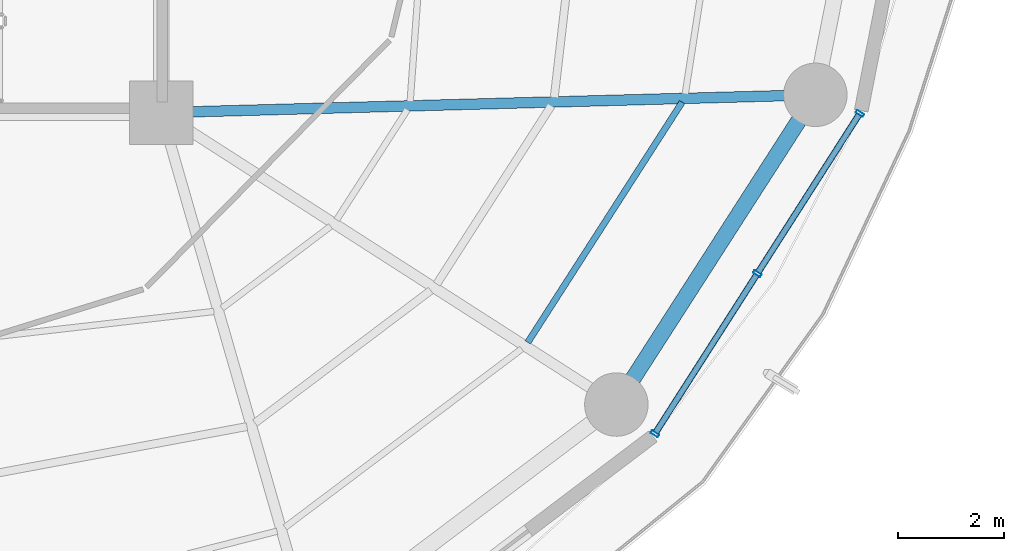
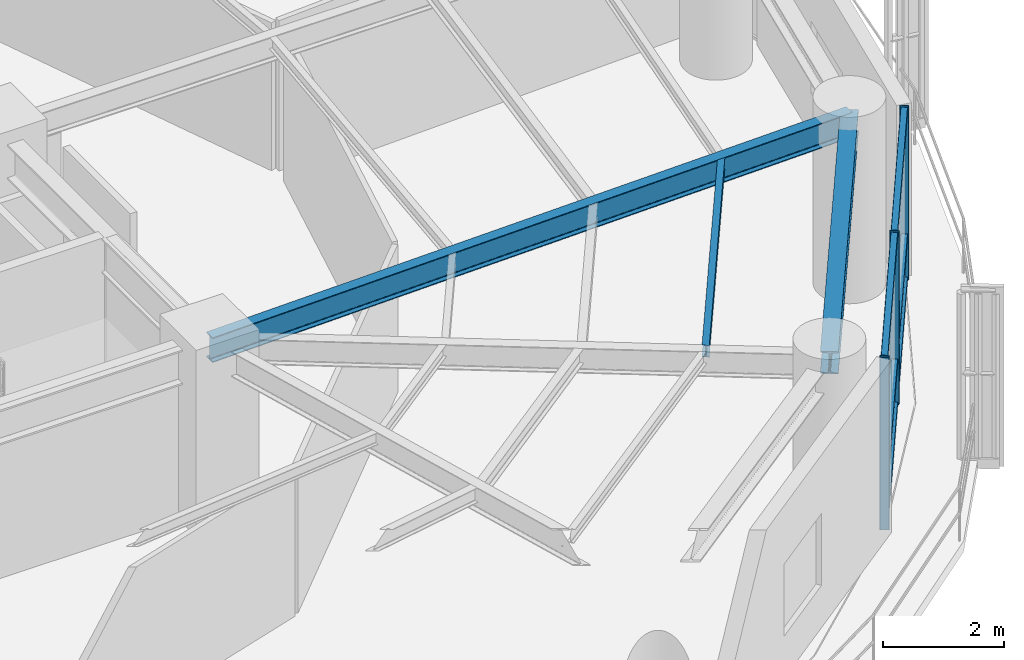
# One storey, part 11 of 27: 9 members, 3 beams, 1 element without a shape of its own.
"""IFC4 building model written with IfcOpenShell, lengths in metres."""

from ifc_helpers import new_model, si_unit, direction, frame, origin, origin_2d, place, context, subcontext, project, spatial, hollow_rectangle, i_section, extrude, material, layer, layer_set, material_profile, profile_set, type_object, element, aggregate, save


model = new_model("IFC4")

# Units and contexts
model_context = context("Model", 3, precision=1e-05, world=origin(), true_north=direction((0.0, 1.0)))
body_context = subcontext(model_context, "Body", "Model", "MODEL_VIEW")
ifc_project = project(units=[si_unit("LENGTHUNIT", "METRE"), si_unit("AREAUNIT", "SQUARE_METRE"), si_unit("VOLUMEUNIT", "CUBIC_METRE"), si_unit("PLANEANGLEUNIT", "RADIAN"), si_unit("MASSUNIT", "GRAM", prefix="KILO")], contexts=[model_context])

# Site, building, storey
site_placement = place(None, origin())
site = spatial("IfcSite", under=ifc_project, at=site_placement, CompositionType="ELEMENT")
building_placement = place(site_placement, origin())
building = spatial("IfcBuilding", under=site, at=building_placement, Name="Kelanora Arch Commons", CompositionType="ELEMENT")
storey_placement = place(building_placement, frame((0.0, 0.0, 165.60009765625)))
storey = spatial("IfcBuildingStorey", under=building, at=storey_placement, Name="L42", CompositionType="ELEMENT", Elevation=165.60009765625)

# Beams
ifc_material_1 = material(Name="Steel S355", Category="steel")
ifc_material_profile_1 = material_profile(ifc_material_1, i_section(OverallWidth=0.1201171875, OverallDepth=0.239990234375, WebThickness=0.006103515625, FlangeThickness=0.009765625, FilletRadius=0.014892578125, at=origin_2d()), Name="IPE240")
ifc_profile_set_1 = profile_set([ifc_material_profile_1], Name="Steel S355")
beam_type_1 = type_object("IfcBeamType", Name="BM-JST-02", PredefinedType="JOIST", material=ifc_profile_set_1)
beam_1_placement = place(storey_placement, frame((88.93212890625, 46.654296875, 3.369873046875), z_axis=(0.540581678156, 0.841291536414, 0.0), x_axis=(-0.841291536414, 0.540581678156, 0.0)))
element("IfcBeam", 1, at=beam_1_placement, inside=storey, type_object=beam_type_1, Name="Secondary Chord Joist BJC-32 L42", PredefinedType="JOIST", context=body_context, shape_type="SweptSolid", body=[
    extrude(i_section(OverallWidth=0.1201171875, OverallDepth=0.239990234375, WebThickness=0.006103515625, FlangeThickness=0.009765625, FilletRadius=0.014892578125, at=origin_2d()), origin(), (0.0, 0.0, 1.0), 5.4013671875),
])
ifc_material_profile_2 = material_profile(ifc_material_1, i_section(OverallWidth=0.199951171875, OverallDepth=0.5, WebThickness=0.01025390625, FlangeThickness=0.01611328125, FilletRadius=0.02099609375, at=origin_2d()), Name="IPE500")
ifc_profile_set_2 = profile_set([ifc_material_profile_2], Name="Steel S355")
beam_type_2 = type_object("IfcBeamType", Name="BM-RAD-Z3", PredefinedType="BEAM", material=ifc_profile_set_2)
beam_2_placement = place(storey_placement, frame((82.0, 51.0, 3.239990234375), z_axis=(0.999628374924, 0.027260081577, 0.0), x_axis=(-0.027260081577, 0.999628374924, 0.0)))
element("IfcBeam", 2, at=beam_2_placement, inside=storey, type_object=beam_type_2, Name="Radial Floor Girder BR-34 L42", PredefinedType="BEAM", context=body_context, shape_type="SweptSolid", body=[
    extrude(i_section(OverallWidth=0.199951171875, OverallDepth=0.5, WebThickness=0.01025390625, FlangeThickness=0.01611328125, FilletRadius=0.02099609375, at=origin_2d()), origin(), (0.0, 0.0, 1.0), 12.377197265625),
])
ifc_material_profile_3 = material_profile(ifc_material_1, i_section(OverallWidth=0.300048828125, OverallDepth=0.449951171875, WebThickness=0.013916015625, FlangeThickness=0.02587890625, FilletRadius=0.027099609375, at=origin_2d()), Name="HEB450")
ifc_profile_set_3 = profile_set([ifc_material_profile_3], Name="Steel S355")
beam_type_3 = type_object("IfcBeamType", Name="BM-SPN-Z3", PredefinedType="SPANDREL", material=ifc_profile_set_3)
beam_3_placement = place(storey_placement, frame((90.60791015625, 45.478515625, 3.264892578125), z_axis=(0.540576852469, 0.841294637196, 0.0), x_axis=(-0.841294637196, 0.540576852469, 0.0)))
element("IfcBeam", 3, at=beam_3_placement, inside=storey, type_object=beam_type_3, Name="Perimeter Spandrel Beam BS-32 L42", PredefinedType="SPANDREL", context=body_context, shape_type="SweptSolid", body=[
    extrude(i_section(OverallWidth=0.300048828125, OverallDepth=0.449951171875, WebThickness=0.013916015625, FlangeThickness=0.02587890625, FilletRadius=0.027099609375, at=origin_2d()), origin(), (0.0, 0.0, 1.0), 6.964111328125),
])

# Curtain wall, members
ifc_material_2 = material(Name="Terracotta ceramic-fritted low-E glass and aluminium", Category="masonry")
ifc_layer = layer(ifc_material_2, 0.175048828125)
ifc_layer_set = layer_set([ifc_layer], Name="Terracotta ceramic-fritted low-E glass and aluminium")
curtain_wall_type = type_object("IfcCurtainWallType", Name="CW-SYS-02", PredefinedType="NOTDEFINED", material=ifc_layer_set)
curtain_wall_placement = place(storey_placement, origin())
curtain_wall = element("IfcCurtainWall", 4, at=curtain_wall_placement, inside=storey, type_object=curtain_wall_type, Name="Unitised Curtain Wall L42-B16", PredefinedType="NOTDEFINED")
ifc_material_3 = material(Name="Powder-coated aluminium terracotta", Category="masonry")
ifc_material_profile_4 = material_profile(ifc_material_3, hollow_rectangle(XDim=0.159912109375, YDim=0.06005859375, WallThickness=0.0048828125, InnerFilletRadius=0.0048828125, OuterFilletRadius=0.010009765625, at=origin_2d()), Name="CWM160x60")
ifc_profile_set_4 = profile_set([ifc_material_profile_4], Name="Powder-coated aluminium terracotta")
member_type_1 = type_object("IfcMemberType", Name="CWM-STD", PredefinedType="MULLION", material=ifc_profile_set_4)
member_1_placement = place(storey_placement, frame((91.3369140625, 44.925048828125, 0.0), z_axis=(0.0, 0.0, 1.0), x_axis=(-0.842422846546, 0.538816988983, 0.0)))
member_1 = element("IfcMember", 5, at=member_1_placement, type_object=member_type_1, Name="CW-02 mullion 1", PredefinedType="MULLION", context=body_context, shape_type="SweptSolid", body=[
    extrude(hollow_rectangle(XDim=0.159912109375, YDim=0.06005859375, WallThickness=0.0048828125, InnerFilletRadius=0.0048828125, OuterFilletRadius=0.010009765625, at=origin_2d()), origin(), (0.0, 0.0, 1.0), 3.474853515625),
])
member_2_placement = place(storey_placement, frame((93.27490234375, 47.954833984375, 0.0), z_axis=(0.0, 0.0, 1.0), x_axis=(-0.842422846546, 0.538816988983, 0.0)))
member_2 = element("IfcMember", 6, at=member_2_placement, type_object=member_type_1, Name="CW-02 mullion 2", PredefinedType="MULLION", context=body_context, shape_type="SweptSolid", body=[
    extrude(hollow_rectangle(XDim=0.159912109375, YDim=0.06005859375, WallThickness=0.0048828125, InnerFilletRadius=0.0048828125, OuterFilletRadius=0.010009765625, at=origin_2d()), origin(), (0.0, 0.0, 1.0), 3.474853515625),
])
member_3_placement = place(storey_placement, frame((95.212890625, 50.98486328125, 0.0), z_axis=(0.0, 0.0, 1.0), x_axis=(-0.842422846546, 0.538816988983, 0.0)))
member_3 = element("IfcMember", 7, at=member_3_placement, type_object=member_type_1, Name="CW-02 mullion 3", PredefinedType="MULLION", context=body_context, shape_type="SweptSolid", body=[
    extrude(hollow_rectangle(XDim=0.159912109375, YDim=0.06005859375, WallThickness=0.0048828125, InnerFilletRadius=0.0048828125, OuterFilletRadius=0.010009765625, at=origin_2d()), origin(), (0.0, 0.0, 1.0), 3.474853515625),
])
ifc_material_profile_5 = material_profile(ifc_material_3, hollow_rectangle(XDim=0.1201171875, YDim=0.06005859375, WallThickness=0.0048828125, InnerFilletRadius=0.0048828125, OuterFilletRadius=0.010009765625, at=origin_2d()), Name="CWT120x60")
ifc_profile_set_5 = profile_set([ifc_material_profile_5], Name="Powder-coated aluminium terracotta")
member_type_2 = type_object("IfcMemberType", Name="CWT-STD", PredefinedType="USERDEFINED", material=ifc_profile_set_5)
member_4_placement = place(storey_placement, frame((91.35302734375, 44.9501953125, 0.02978515625), z_axis=(0.53883037555, 0.842414284295, 0.0), x_axis=(-0.842414284295, 0.53883037555, 0.0)))
member_4 = element("IfcMember", 8, at=member_4_placement, type_object=member_type_2, Name="CW-02 transom 1.1", ObjectType="TRANSOM", PredefinedType="USERDEFINED", context=body_context, shape_type="SweptSolid", body=[
    extrude(hollow_rectangle(XDim=0.1201171875, YDim=0.06005859375, WallThickness=0.0048828125, InnerFilletRadius=0.0048828125, OuterFilletRadius=0.010009765625, at=origin_2d()), origin(), (0.0, 0.0, 1.0), 3.536865234375),
])
member_5_placement = place(storey_placement, frame((91.35302734375, 44.9501953125, 0.89990234375), z_axis=(0.53883037555, 0.842414284295, 0.0), x_axis=(-0.842414284295, 0.53883037555, 0.0)))
member_5 = element("IfcMember", 9, at=member_5_placement, type_object=member_type_2, Name="CW-02 transom 1.2", ObjectType="TRANSOM", PredefinedType="USERDEFINED", context=body_context, shape_type="SweptSolid", body=[
    extrude(hollow_rectangle(XDim=0.1201171875, YDim=0.06005859375, WallThickness=0.0048828125, InnerFilletRadius=0.0048828125, OuterFilletRadius=0.010009765625, at=origin_2d()), origin(), (0.0, 0.0, 1.0), 3.536865234375),
])
member_6_placement = place(storey_placement, frame((91.35302734375, 44.9501953125, 3.44482421875), z_axis=(0.53883037555, 0.842414284295, 0.0), x_axis=(-0.842414284295, 0.53883037555, 0.0)))
member_6 = element("IfcMember", 10, at=member_6_placement, type_object=member_type_2, Name="CW-02 transom 1.3", ObjectType="TRANSOM", PredefinedType="USERDEFINED", context=body_context, shape_type="SweptSolid", body=[
    extrude(hollow_rectangle(XDim=0.1201171875, YDim=0.06005859375, WallThickness=0.0048828125, InnerFilletRadius=0.0048828125, OuterFilletRadius=0.010009765625, at=origin_2d()), origin(), (0.0, 0.0, 1.0), 3.536865234375),
])
member_7_placement = place(storey_placement, frame((93.291015625, 47.980224609375, 0.02978515625), z_axis=(0.53883037555, 0.842414284295, 0.0), x_axis=(-0.842414284295, 0.53883037555, 0.0)))
member_7 = element("IfcMember", 11, at=member_7_placement, type_object=member_type_2, Name="CW-02 transom 2.1", ObjectType="TRANSOM", PredefinedType="USERDEFINED", context=body_context, shape_type="SweptSolid", body=[
    extrude(hollow_rectangle(XDim=0.1201171875, YDim=0.06005859375, WallThickness=0.0048828125, InnerFilletRadius=0.0048828125, OuterFilletRadius=0.010009765625, at=origin_2d()), origin(), (0.0, 0.0, 1.0), 3.536865234375),
])
member_8_placement = place(storey_placement, frame((93.291015625, 47.980224609375, 0.89990234375), z_axis=(0.53883037555, 0.842414284295, 0.0), x_axis=(-0.842414284295, 0.53883037555, 0.0)))
member_8 = element("IfcMember", 12, at=member_8_placement, type_object=member_type_2, Name="CW-02 transom 2.2", ObjectType="TRANSOM", PredefinedType="USERDEFINED", context=body_context, shape_type="SweptSolid", body=[
    extrude(hollow_rectangle(XDim=0.1201171875, YDim=0.06005859375, WallThickness=0.0048828125, InnerFilletRadius=0.0048828125, OuterFilletRadius=0.010009765625, at=origin_2d()), origin(), (0.0, 0.0, 1.0), 3.536865234375),
])
member_9_placement = place(storey_placement, frame((93.291015625, 47.980224609375, 3.44482421875), z_axis=(0.53883037555, 0.842414284295, 0.0), x_axis=(-0.842414284295, 0.53883037555, 0.0)))
member_9 = element("IfcMember", 13, at=member_9_placement, type_object=member_type_2, Name="CW-02 transom 2.3", ObjectType="TRANSOM", PredefinedType="USERDEFINED", context=body_context, shape_type="SweptSolid", body=[
    extrude(hollow_rectangle(XDim=0.1201171875, YDim=0.06005859375, WallThickness=0.0048828125, InnerFilletRadius=0.0048828125, OuterFilletRadius=0.010009765625, at=origin_2d()), origin(), (0.0, 0.0, 1.0), 3.536865234375),
])
aggregate(curtain_wall, [member_1, member_2, member_3, member_4, member_5, member_6, member_7, member_8, member_9])

save(model, "model.ifc")
